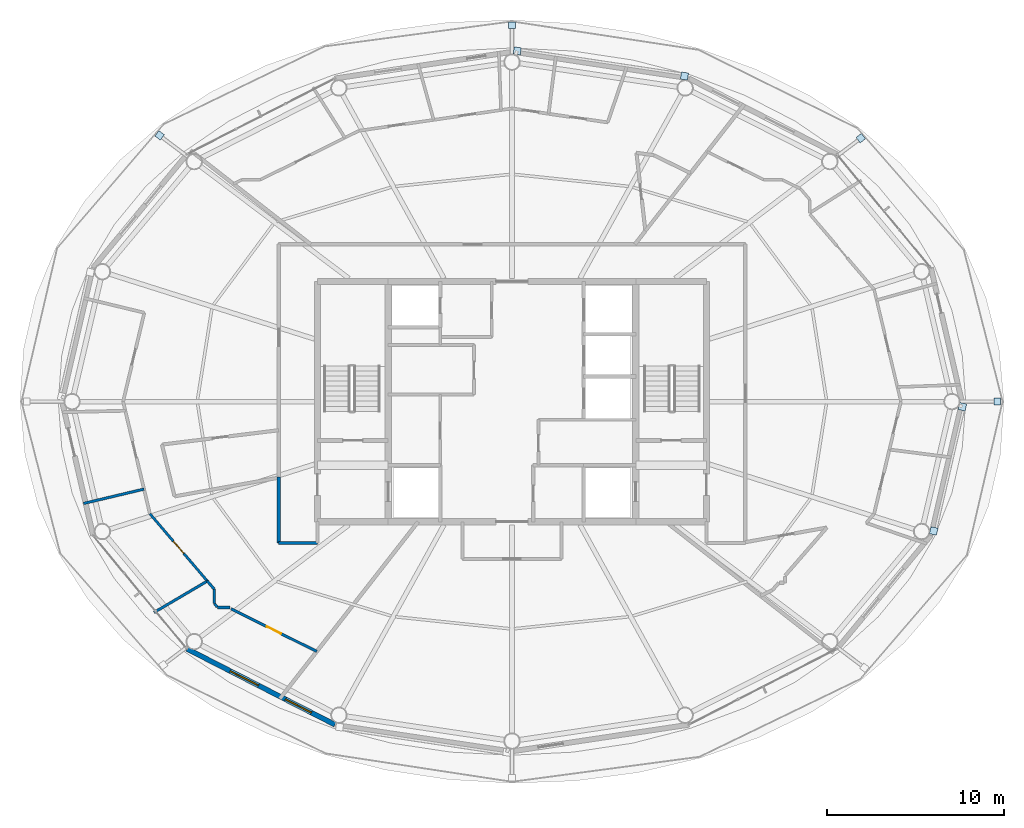
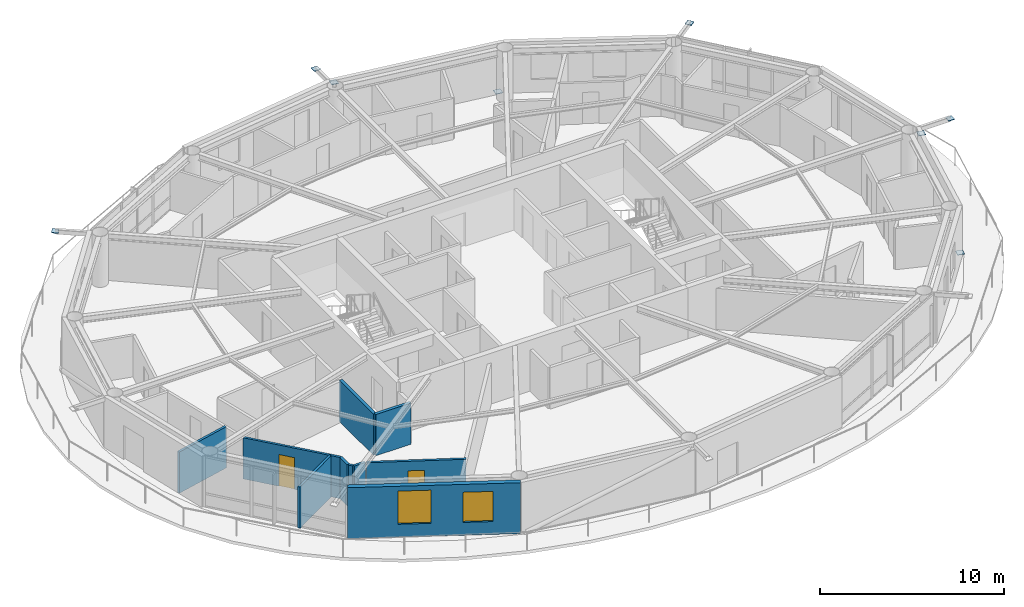
# One storey, part 15 of 22: 11 walls, 8 plates, 2 doors, 2 windows, 4 openings.
"""IFC4 building model written with IfcOpenShell, lengths in metres."""

from ifc_helpers import new_model, si_unit, direction, frame, frame_2d, origin, origin_2d, place, context, subcontext, project, spatial, rectangle, extrude, material, layer, layer_set, type_object, element, fill, save


model = new_model("IFC4")

# Units and contexts
model_context = context("Model", 3, precision=1e-05, world=origin(), true_north=direction((0.0, 1.0)))
body_context = subcontext(model_context, "Body", "Model", "MODEL_VIEW")
ifc_project = project(units=[si_unit("LENGTHUNIT", "METRE"), si_unit("AREAUNIT", "SQUARE_METRE"), si_unit("VOLUMEUNIT", "CUBIC_METRE"), si_unit("PLANEANGLEUNIT", "RADIAN"), si_unit("MASSUNIT", "GRAM", prefix="KILO")], contexts=[model_context])

# Site, building, storey
site_placement = place(None, origin())
site = spatial("IfcSite", under=ifc_project, at=site_placement, CompositionType="ELEMENT")
building_placement = place(site_placement, origin())
building = spatial("IfcBuilding", under=site, at=building_placement, Name="Sarneth Arch Tower", CompositionType="ELEMENT")
storey_placement = place(building_placement, frame((0.0, 0.0, 301.800048828125)))
storey = spatial("IfcBuildingStorey", under=building, at=storey_placement, Name="L78", CompositionType="ELEMENT", Elevation=301.800048828125)

# Plates
ifc_material_1 = material(Name="Steel S355", Category="steel")
ifc_layer_1 = layer(ifc_material_1, 0.035888671875)
ifc_layer_set_1 = layer_set([ifc_layer_1], Name="Steel S355")
plate_type = type_object("IfcPlateType", Name="PLT-GUSSET-30", PredefinedType="SHEET", material=ifc_layer_set_1)
for number, where, z_axis, x_axis, name in (
    (1, (75.450927734375, 42.0, 3.19189453125), (0.0, 0.0, 1.0), (1.0, 0.0, 0.0), "Steel end cap plate GP-1"),
    (2, (67.7275390625, 56.89990234375, 3.19189453125), (0.0, 0.0, 1.0), (0.798004853043, 0.602651022168, 0.0), "Steel end cap plate GP-1"),
):
    element("IfcPlate", number, at=place(storey_placement, frame(where, z_axis=z_axis, x_axis=x_axis)), inside=storey, type_object=plate_type, Name=name, PredefinedType="SHEET", context=body_context, shape_type="SweptSolid", body=[
        extrude(rectangle(XDim=0.3798828125, YDim=0.3798828125, at=origin_2d()), origin(), (0.0, 0.0, 1.0), 0.035888671875),
    ])
for number, where, z_axis, x_axis, name in (
    (3, (57.754150390625, 60.411376953125, 0.001953125), (0.0, 0.0, 1.0), (-0.988860535448, 0.148845024885, 0.0), "Steel end cap plate GP-1"),
    (4, (48.296630859375, 61.83544921875, 3.07421875), (0.0, 0.0, 1.0), (-0.988860535448, 0.148845024885, 0.0), "Steel end cap plate GP-1"),
):
    element("IfcPlate", number, at=place(storey_placement, frame(where, z_axis=z_axis, x_axis=x_axis)), inside=storey, type_object=plate_type, Name=name, PredefinedType="SHEET", context=body_context, shape_type="SweptSolid", body=[
        extrude(rectangle(XDim=0.404052734375, YDim=0.404052734375, at=origin_2d()), origin(), (0.0, 0.0, 1.0), 0.035888671875),
    ])
for number, where, z_axis, x_axis, name in (
    (5, (48.0, 63.2822265625, 3.19189453125), (0.0, 0.0, 1.0), (0.0, 1.0, 0.0), "Steel end cap plate GP-1"),
    (6, (28.06640625, 57.055419921875, 3.19189453125), (0.0, 0.0, 1.0), (-0.798004853043, 0.602651022168, 0.0), "Steel end cap plate GP-1"),
):
    element("IfcPlate", number, at=place(storey_placement, frame(where, z_axis=z_axis, x_axis=x_axis)), inside=storey, type_object=plate_type, Name=name, PredefinedType="SHEET", context=body_context, shape_type="SweptSolid", body=[
        extrude(rectangle(XDim=0.3798828125, YDim=0.3798828125, at=origin_2d()), origin(), (0.0, 0.0, 1.0), 0.035888671875),
    ])
for number, where, z_axis, x_axis, name in (
    (7, (71.851806640625, 34.6845703125, 0.001953125), (0.0, 0.0, 1.0), (0.225461202458, 0.974252147129, 0.0), "Steel end cap plate GP-1"),
    (8, (73.4765625, 41.707763671875, 3.07421875), (0.0, 0.0, 1.0), (0.225461202458, 0.974252147129, 0.0), "Steel end cap plate GP-1"),
):
    element("IfcPlate", number, at=place(storey_placement, frame(where, z_axis=z_axis, x_axis=x_axis)), inside=storey, type_object=plate_type, Name=name, PredefinedType="SHEET", context=body_context, shape_type="SweptSolid", body=[
        extrude(rectangle(XDim=0.404052734375, YDim=0.404052734375, at=origin_2d()), origin(), (0.0, 0.0, 1.0), 0.035888671875),
    ])

# Walls
ifc_material_2 = material(Name="Double steel-stud corridor fire wall", Category="steel")
ifc_layer_2 = layer(ifc_material_2, 0.18994140625)
ifc_layer_set_2 = layer_set([ifc_layer_2], Name="Double steel-stud corridor fire wall")
wall_type_1 = type_object("IfcWallType", Name="WALL-CORR-190", PredefinedType="PARTITIONING", material=ifc_layer_set_2)
wall_1_placement = place(storey_placement, frame((34.800048828125, 34.0, 0.0), z_axis=(0.0, 0.0, 1.0), x_axis=(0.0, 1.0, 0.0)))
element("IfcWall", 9, at=wall_1_placement, inside=storey, type_object=wall_type_1, Name="L78 Interior partition W-L78-TP-004", PredefinedType="PARTITIONING", context=body_context, shape_type="SweptSolid", body=[
    extrude(rectangle(XDim=3.728271484375, YDim=0.18994140625, at=frame_2d((1.8642578125, 0.0))), origin(), (0.0, 0.0, 1.0), 2.72998046875),
])
wall_2_placement = place(storey_placement, frame((37.0, 34.0, 0.0), z_axis=(0.0, 0.0, 1.0), x_axis=(-1.0, 0.0, 0.0)))
element("IfcWall", 10, at=wall_2_placement, inside=storey, type_object=wall_type_1, Name="L78 Interior partition W-L78-TP-003", PredefinedType="PARTITIONING", context=body_context, shape_type="SweptSolid", body=[
    extrude(rectangle(XDim=2.199951171875, YDim=0.18994140625, at=frame_2d((1.10009765625, 0.0))), origin(), (0.0, 0.0, 1.0), 2.72998046875),
])

# Wall, openings, windows
ifc_material_3 = material(Name="Extruded terracotta rainscreen on Concrete C40/50 backing", Category="masonry")
ifc_layer_3 = layer(ifc_material_3, 0.280029296875)
ifc_layer_set_3 = layer_set([ifc_layer_3], Name="Extruded terracotta rainscreen on Concrete C40/50 backing")
wall_type_2 = type_object("IfcWallType", Name="WALL-EXT-TERRA-280", PredefinedType="SOLIDWALL", material=ifc_layer_set_3)
wall_3_placement = place(storey_placement, frame((29.617431640625, 28.013427734375, 0.0), z_axis=(0.0, 0.0, 1.0), x_axis=(0.890007394051, -0.455946091699, 0.0)))
wall_3 = element("IfcWall", 11, at=wall_3_placement, inside=storey, type_object=wall_type_2, Name="L78 Terracotta perimeter wall 11", PredefinedType="SOLIDWALL", context=body_context, shape_type="SweptSolid", body=[
    extrude(rectangle(XDim=9.404296875, YDim=0.280029296875, at=frame_2d((4.7021484375, 0.0))), origin(), (0.0, 0.0, 1.0), 3.369873046875),
])
opening_1_placement = place(wall_3_placement, frame((2.742431640625, 0.0, 0.85009765625)))
opening_1 = element("IfcOpeningElement", 12, at=opening_1_placement, cuts=wall_3, Name="Opening W-04", PredefinedType="OPENING", context=body_context, shape_type="SweptSolid", body=[
    extrude(rectangle(XDim=1.800048828125, YDim=2.199951171875, at=frame_2d((0.89990234375, 1.10009765625))), frame((0.0, 0.14990234375, 0.0), z_axis=(0.0, -1.0, 0.0), x_axis=(1.0, 0.0, 0.0)), (0.0, 0.0, 1.0), 0.300048828125),
])
opening_2_placement = place(wall_3_placement, frame((6.25830078125, 0.0, 0.85009765625)))
opening_2 = element("IfcOpeningElement", 13, at=opening_2_placement, cuts=wall_3, Name="Opening W-05", PredefinedType="OPENING", context=body_context, shape_type="SweptSolid", body=[
    extrude(rectangle(XDim=1.64990234375, YDim=2.0, at=frame_2d((0.824951171875, 1.0))), frame((0.0, 0.14990234375, 0.0), z_axis=(0.0, -1.0, 0.0), x_axis=(1.0, 0.0, 0.0)), (0.0, 0.0, 1.0), 0.300048828125),
])
ifc_material_4 = material(Name="Thermally broken Aluminium 6063-T6 and low-e laminated IGU", Category="aluminium")
window_type_1 = type_object("IfcWindowType", Name="WIN-TWR-1650x2000", PartitioningType="DOUBLE_PANEL_VERTICAL", PredefinedType="WINDOW", material=ifc_material_4)
window_1_placement = place(opening_2_placement, origin())
window_1 = element("IfcWindow", 14, at=window_1_placement, inside=storey, type_object=window_type_1, Name="L78 Exterior window 11B", OverallHeight=2.0, OverallWidth=1.64990234375, PartitioningType="SINGLE_PANEL", PredefinedType="WINDOW", context=body_context, shape_type="SweptSolid", body=[
    extrude(rectangle(XDim=1.64990234375, YDim=2.0, at=frame_2d((0.824951171875, 1.0))), frame((0.0, 0.030029296875, 0.0), z_axis=(0.0, -1.0, 0.0), x_axis=(1.0, 0.0, 0.0)), (0.0, 0.0, 1.0), 0.06005859375),
])
fill(opening_2, window_1)
ifc_material_5 = material(Name="Thermally broken Aluminium 6063-T6 and low-e laminated IGU", Category="aluminium")
window_type_2 = type_object("IfcWindowType", Name="WIN-TWR-1800x2200", PartitioningType="DOUBLE_PANEL_VERTICAL", PredefinedType="WINDOW", material=ifc_material_5)
window_2_placement = place(opening_1_placement, origin())
window_2 = element("IfcWindow", 15, at=window_2_placement, inside=storey, type_object=window_type_2, Name="L78 Exterior window 11A", OverallHeight=2.199951171875, OverallWidth=1.800048828125, PartitioningType="SINGLE_PANEL", PredefinedType="WINDOW", context=body_context, shape_type="SweptSolid", body=[
    extrude(rectangle(XDim=1.800048828125, YDim=2.199951171875, at=frame_2d((0.89990234375, 1.10009765625))), frame((0.0, 0.030029296875, 0.0), z_axis=(0.0, -1.0, 0.0), x_axis=(1.0, 0.0, 0.0)), (0.0, 0.0, 1.0), 0.06005859375),
])
fill(opening_1, window_2)

# Wall, opening, door
ifc_material_6 = material(Name="Apartment internal stud partition", Category="gypsum")
ifc_layer_4 = layer(ifc_material_6, 0.139892578125)
ifc_layer_set_4 = layer_set([ifc_layer_4], Name="Apartment internal stud partition")
wall_type_3 = type_object("IfcWallType", Name="WALL-PART-140", PredefinedType="PARTITIONING", material=ifc_layer_set_4)
wall_4_placement = place(storey_placement, frame((27.51904296875, 35.655029296875, 0.0), z_axis=(0.0, 0.0, 1.0), x_axis=(0.649223146716, -0.760597992219, 0.0)))
wall_4 = element("IfcWall", 16, at=wall_4_placement, inside=storey, type_object=wall_type_3, Name="L78 Interior partition W-L78-TP-046", PredefinedType="PARTITIONING", context=body_context, shape_type="SweptSolid", body=[
    extrude(rectangle(XDim=5.00439453125, YDim=0.139892578125, at=frame_2d((2.502197265625, 0.0))), origin(), (0.0, 0.0, 1.0), 2.72998046875),
])
opening_3_placement = place(wall_4_placement, frame((2.05224609375, 0.0, 0.0)))
opening_3 = element("IfcOpeningElement", 17, at=opening_3_placement, cuts=wall_4, Name="Opening ID-01", PredefinedType="OPENING", context=body_context, shape_type="SweptSolid", body=[
    extrude(rectangle(XDim=0.89990234375, YDim=2.10009765625, at=frame_2d((0.449951171875, 1.050048828125))), frame((0.0, 0.079833984375, 0.0), z_axis=(0.0, -1.0, 0.0), x_axis=(1.0, 0.0, 0.0)), (0.0, 0.0, 1.0), 0.159912109375),
])
ifc_material_7 = material(Name="Engineered hardwood flush door", Category="wood")
door_type = type_object("IfcDoorType", Name="DR-INT-900", OperationType="SINGLE_SWING_LEFT", PredefinedType="DOOR", material=ifc_material_7)
door_1_placement = place(opening_3_placement, origin())
door_1 = element("IfcDoor", 18, at=door_1_placement, inside=storey, type_object=door_type, Name="L78 Interior door DR-L78-U2-BED2", OperationType="SINGLE_SWING_LEFT", OverallHeight=2.10009765625, OverallWidth=0.89990234375, PredefinedType="DOOR", context=body_context, shape_type="SweptSolid", body=[
    extrude(rectangle(XDim=0.89990234375, YDim=2.10009765625, at=frame_2d((0.449951171875, 1.050048828125))), frame((0.0, 0.02490234375, 0.0), z_axis=(0.0, -1.0, 0.0), x_axis=(1.0, 0.0, 0.0)), (0.0, 0.0, 1.0), 0.050048828125),
])
fill(opening_3, door_1)

ifc_material_8 = material(Name="Acoustic gypsum stud partition", Category="gypsum")
ifc_layer_5 = layer(ifc_material_8, 0.14990234375)
ifc_layer_set_5 = layer_set([ifc_layer_5], Name="Acoustic gypsum stud partition")
wall_type_4 = type_object("IfcWallType", Name="WALL-PART-150", PredefinedType="PARTITIONING", material=ifc_layer_set_5)
wall_5_placement = place(storey_placement, frame((32.110107421875, 30.276123046875, 0.0), z_axis=(0.0, 0.0, 1.0), x_axis=(0.895587674753, -0.444885060247, 0.0)))
wall_5 = element("IfcWall", 19, at=wall_5_placement, inside=storey, type_object=wall_type_4, Name="L78 Interior partition W-L78-TP-051", PredefinedType="PARTITIONING", context=body_context, shape_type="SweptSolid", body=[
    extrude(rectangle(XDim=5.41357421875, YDim=0.14990234375, at=frame_2d((2.706787109375, 0.0))), origin(), (0.0, 0.0, 1.0), 2.72998046875),
])
opening_4_placement = place(wall_5_placement, frame((2.2568359375, 0.0, 0.0)))
opening_4 = element("IfcOpeningElement", 20, at=opening_4_placement, cuts=wall_5, Name="Opening ID-01", PredefinedType="OPENING", context=body_context, shape_type="SweptSolid", body=[
    extrude(rectangle(XDim=0.89990234375, YDim=2.10009765625, at=frame_2d((0.449951171875, 1.050048828125))), frame((0.0, 0.0849609375, 0.0), z_axis=(0.0, -1.0, 0.0), x_axis=(1.0, 0.0, 0.0)), (0.0, 0.0, 1.0), 0.169921875),
])
door_2_placement = place(opening_4_placement, origin())
door_2 = element("IfcDoor", 21, at=door_2_placement, inside=storey, type_object=door_type, Name="L78 Interior door DR-L78-U2-BED3", OperationType="SINGLE_SWING_LEFT", OverallHeight=2.10009765625, OverallWidth=0.89990234375, PredefinedType="DOOR", context=body_context, shape_type="SweptSolid", body=[
    extrude(rectangle(XDim=0.89990234375, YDim=2.10009765625, at=frame_2d((0.449951171875, 1.050048828125))), frame((0.0, 0.02490234375, 0.0), z_axis=(0.0, -1.0, 0.0), x_axis=(1.0, 0.0, 0.0)), (0.0, 0.0, 1.0), 0.050048828125),
])
fill(opening_4, door_2)

# Walls
wall_6_placement = place(storey_placement, frame((23.7646484375, 36.23681640625, 0.0), z_axis=(0.0, 0.0, 1.0), x_axis=(0.972875448823, 0.231329550808, 0.0)))
element("IfcWall", 22, at=wall_6_placement, inside=storey, type_object=wall_type_4, Name="L78 Interior partition W-L78-TP-054", PredefinedType="PARTITIONING", context=body_context, shape_type="SweptSolid", body=[
    extrude(rectangle(XDim=3.5166015625, YDim=0.14990234375, at=frame_2d((1.75830078125, 0.0))), origin(), (0.0, 0.0, 1.0), 2.72998046875),
])
wall_7_placement = place(storey_placement, frame((30.76806640625, 31.8486328125, 0.0), z_axis=(0.0, 0.0, 1.0), x_axis=(-0.861632311911, -0.50753301279, 0.0)))
element("IfcWall", 23, at=wall_7_placement, inside=storey, type_object=wall_type_4, Name="L78 Interior partition W-L78-TP-055", PredefinedType="PARTITIONING", context=body_context, shape_type="SweptSolid", body=[
    extrude(rectangle(XDim=3.494140625, YDim=0.14990234375, at=frame_2d((1.7470703125, 0.0))), origin(), (0.0, 0.0, 1.0), 2.72998046875),
])
wall_8_placement = place(storey_placement, frame((31.14990234375, 31.401123046875, 0.0), z_axis=(0.0, 0.0, 1.0), x_axis=(0.0, -1.0, 0.0)))
element("IfcWall", 24, at=wall_8_placement, inside=storey, type_object=wall_type_4, Name="L78 Interior partition W-L78-TP-048", PredefinedType="PARTITIONING", context=body_context, shape_type="SweptSolid", body=[
    extrude(rectangle(XDim=0.8115234375, YDim=0.14990234375, at=frame_2d((0.40576171875, 0.0))), origin(), (0.0, 0.0, 1.0), 2.72998046875),
])
wall_9_placement = place(storey_placement, frame((31.3544921875, 30.35009765625, 0.0), z_axis=(0.0, 0.0, 1.0), x_axis=(1.0, 0.0, 0.0)))
element("IfcWall", 25, at=wall_9_placement, inside=storey, type_object=wall_type_4, Name="L78 Interior partition W-L78-TP-050", PredefinedType="PARTITIONING", context=body_context, shape_type="SweptSolid", body=[
    extrude(rectangle(XDim=0.692626953125, YDim=0.14990234375, at=frame_2d((0.34619140625, 0.0))), origin(), (0.0, 0.0, 1.0), 2.72998046875),
])
wall_10_placement = place(storey_placement, frame((30.76806640625, 31.8486328125, 0.0), z_axis=(0.0, 0.0, 1.0), x_axis=(0.649080846661, -0.760719432181, 0.0)))
element("IfcWall", 26, at=wall_10_placement, inside=storey, type_object=wall_type_4, Name="L78 Interior partition W-L78-TP-047", PredefinedType="PARTITIONING", context=body_context, shape_type="SweptSolid", body=[
    extrude(rectangle(XDim=0.58837890625, YDim=0.14990234375, at=frame_2d((0.294189453125, 0.0))), origin(), (0.0, 0.0, 1.0), 2.72998046875),
])
wall_11_placement = place(storey_placement, frame((31.17333984375, 30.562255859375, 0.0), z_axis=(0.0, 0.0, 1.0), x_axis=(0.648874632887, -0.760895334981, 0.0)))
element("IfcWall", 27, at=wall_11_placement, inside=storey, type_object=wall_type_4, Name="L78 Interior partition W-L78-TP-049", PredefinedType="PARTITIONING", context=body_context, shape_type="SweptSolid", body=[
    extrude(rectangle(XDim=0.23095703125, YDim=0.14990234375, at=frame_2d((0.115478515625, 0.0))), origin(), (0.0, 0.0, 1.0), 2.72998046875),
])

save(model, "model.ifc")
